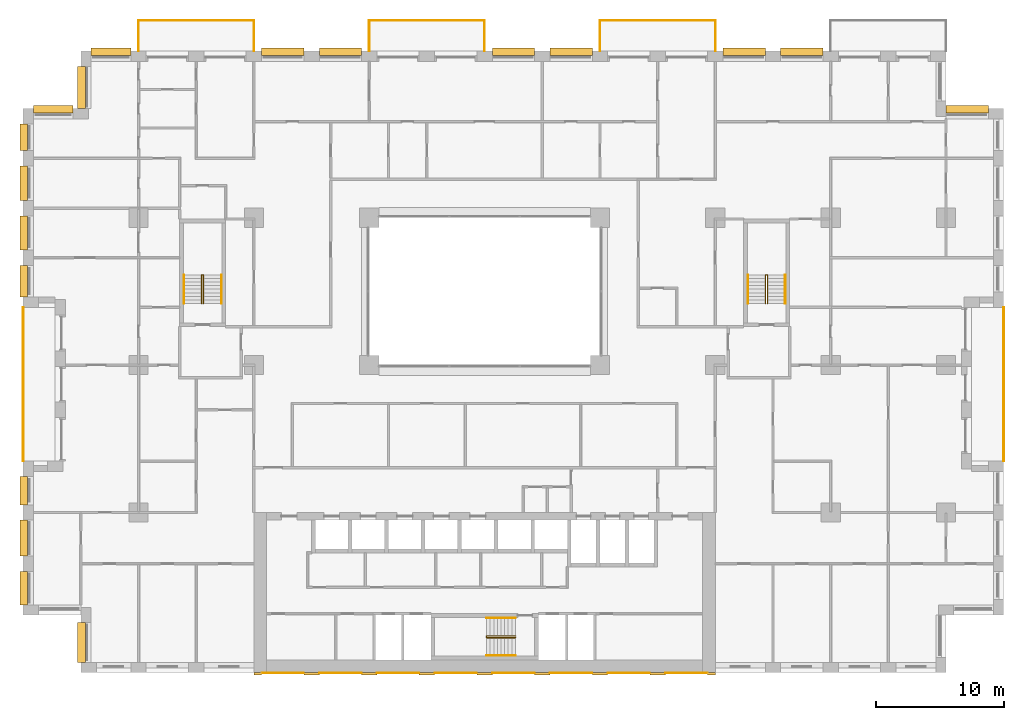
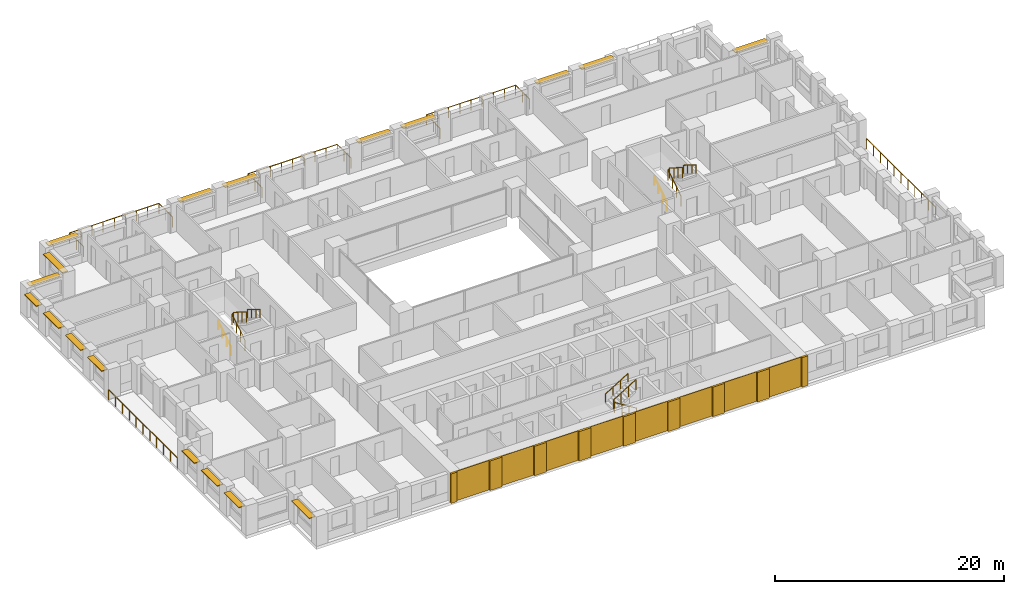
# One storey, part 18 of 19: 18 shading devices, 17 coverings, 14 railings.
"""IFC4 building model written with IfcOpenShell, lengths in metres."""

from ifc_helpers import new_model, si_unit, direction, frame, origin, origin_2d, place, context, subcontext, project, spatial, rectangle, circle, extrude, material, layer, layer_set, type_object, element, save


model = new_model("IFC4")

# Units and contexts
model_context = context("Model", 3, precision=1e-05, world=origin(), true_north=direction((0.0, 1.0)))
body_context = subcontext(model_context, "Body", "Model", "MODEL_VIEW")
ifc_project = project(units=[si_unit("LENGTHUNIT", "METRE"), si_unit("AREAUNIT", "SQUARE_METRE"), si_unit("VOLUMEUNIT", "CUBIC_METRE"), si_unit("PLANEANGLEUNIT", "RADIAN"), si_unit("MASSUNIT", "GRAM", prefix="KILO")], contexts=[model_context])

# Site, building, storey
site_placement = place(None, origin())
site = spatial("IfcSite", under=ifc_project, at=site_placement, CompositionType="ELEMENT")
building_placement = place(site_placement, origin())
building = spatial("IfcBuilding", under=site, at=building_placement, Name="Brigalow Station Residences", CompositionType="ELEMENT")
storey_placement = place(building_placement, frame((0.0, 0.0, 28.949951171875)))
storey = spatial("IfcBuildingStorey", under=building, at=storey_placement, Name="L07", CompositionType="ELEMENT", Elevation=28.949951171875)

# Railings
ifc_material_1 = material(Name="Stainless steel balustrade with laminated glass infill", Category="steel")
railing_type_1 = type_object("IfcRailingType", Name="BALCONY GUARD 1100", PredefinedType="GUARDRAIL", material=ifc_material_1)
railing_1_placement = place(storey_placement, frame((76.5, 16.5, -0.0400390625)))
element("IfcRailing", 1, at=railing_1_placement, inside=storey, type_object=railing_type_1, Name="L07/balcony-guard/1", PredefinedType="GUARDRAIL", context=body_context, shape_type="SweptSolid", body=[
    extrude(circle(Radius=0.02392578125, at=origin_2d()), frame((0.0, 0.0, 1.076171875), z_axis=(0.0, 1.0, 0.0), x_axis=(-1.0, 0.0, 0.0)), (0.0, 0.0, 1.0), 12.0),
    extrude(circle(Radius=0.02099609375, at=origin_2d()), origin(), (0.0, 0.0, 1.0), 1.052001953125),
    extrude(circle(Radius=0.02099609375, at=origin_2d()), frame((0.0, 1.199951171875, 0.0)), (0.0, 0.0, 1.0), 1.052001953125),
    extrude(circle(Radius=0.02099609375, at=origin_2d()), frame((0.0, 2.39990234375, 0.0)), (0.0, 0.0, 1.0), 1.052001953125),
    extrude(circle(Radius=0.02099609375, at=origin_2d()), frame((0.0, 3.60009765625, 0.0)), (0.0, 0.0, 1.0), 1.052001953125),
    extrude(circle(Radius=0.02099609375, at=origin_2d()), frame((0.0, 4.800048828125, 0.0)), (0.0, 0.0, 1.0), 1.052001953125),
    extrude(circle(Radius=0.02099609375, at=origin_2d()), frame((0.0, 6.0, 0.0)), (0.0, 0.0, 1.0), 1.052001953125),
    extrude(circle(Radius=0.02099609375, at=origin_2d()), frame((0.0, 7.199951171875, 0.0)), (0.0, 0.0, 1.0), 1.052001953125),
    extrude(circle(Radius=0.02099609375, at=origin_2d()), frame((0.0, 8.39990234375, 0.0)), (0.0, 0.0, 1.0), 1.052001953125),
    extrude(circle(Radius=0.02099609375, at=origin_2d()), frame((0.0, 9.60009765625, 0.0)), (0.0, 0.0, 1.0), 1.052001953125),
    extrude(circle(Radius=0.02099609375, at=origin_2d()), frame((0.0, 10.800048828125, 0.0)), (0.0, 0.0, 1.0), 1.052001953125),
    extrude(circle(Radius=0.02099609375, at=origin_2d()), frame((0.0, 12.0, 0.0)), (0.0, 0.0, 1.0), 1.052001953125),
])
railing_2_placement = place(storey_placement, frame((54.0, 48.5, -0.0400390625)))
element("IfcRailing", 2, at=railing_2_placement, inside=storey, type_object=railing_type_1, Name="L07/balcony-guard/3", PredefinedType="GUARDRAIL", context=body_context, shape_type="SweptSolid", body=[
    extrude(circle(Radius=0.02392578125, at=origin_2d()), frame((0.0, 0.0, 1.076171875), z_axis=(0.0, 1.0, 0.0), x_axis=(-1.0, 0.0, 0.0)), (0.0, 0.0, 1.0), 2.39990234375),
    extrude(circle(Radius=0.02392578125, at=origin_2d()), frame((0.0, 2.39990234375, 1.076171875), z_axis=(-1.0, 0.0, 0.0), x_axis=(0.0, -1.0, 0.0)), (0.0, 0.0, 1.0), 9.0),
    extrude(circle(Radius=0.02392578125, at=origin_2d()), frame((-9.0, 2.39990234375, 1.076171875), z_axis=(0.0, -1.0, 0.0), x_axis=(1.0, 0.0, 0.0)), (0.0, 0.0, 1.0), 2.39990234375),
    extrude(circle(Radius=0.02099609375, at=origin_2d()), origin(), (0.0, 0.0, 1.0), 1.052001953125),
    extrude(circle(Radius=0.02099609375, at=origin_2d()), frame((0.0, 1.199951171875, 0.0)), (0.0, 0.0, 1.0), 1.052001953125),
    extrude(circle(Radius=0.02099609375, at=origin_2d()), frame((0.0, 2.39990234375, 0.0)), (0.0, 0.0, 1.0), 1.052001953125),
    extrude(circle(Radius=0.02099609375, at=origin_2d()), frame((-1.125, 2.39990234375, 0.0)), (0.0, 0.0, 1.0), 1.052001953125),
    extrude(circle(Radius=0.02099609375, at=origin_2d()), frame((-2.25, 2.39990234375, 0.0)), (0.0, 0.0, 1.0), 1.052001953125),
    extrude(circle(Radius=0.02099609375, at=origin_2d()), frame((-3.375, 2.39990234375, 0.0)), (0.0, 0.0, 1.0), 1.052001953125),
    extrude(circle(Radius=0.02099609375, at=origin_2d()), frame((-4.5, 2.39990234375, 0.0)), (0.0, 0.0, 1.0), 1.052001953125),
    extrude(circle(Radius=0.02099609375, at=origin_2d()), frame((-5.625, 2.39990234375, 0.0)), (0.0, 0.0, 1.0), 1.052001953125),
    extrude(circle(Radius=0.02099609375, at=origin_2d()), frame((-6.75, 2.39990234375, 0.0)), (0.0, 0.0, 1.0), 1.052001953125),
    extrude(circle(Radius=0.02099609375, at=origin_2d()), frame((-7.875, 2.39990234375, 0.0)), (0.0, 0.0, 1.0), 1.052001953125),
    extrude(circle(Radius=0.02099609375, at=origin_2d()), frame((-9.0, 2.39990234375, 0.0)), (0.0, 0.0, 1.0), 1.052001953125),
    extrude(circle(Radius=0.02099609375, at=origin_2d()), frame((-9.0, 1.199951171875, 0.0)), (0.0, 0.0, 1.0), 1.052001953125),
    extrude(circle(Radius=0.02099609375, at=origin_2d()), frame((-9.0, 0.0, 0.0)), (0.0, 0.0, 1.0), 1.052001953125),
])
railing_3_placement = place(storey_placement, frame((36.0, 48.5, -0.0400390625)))
element("IfcRailing", 3, at=railing_3_placement, inside=storey, type_object=railing_type_1, Name="L07/balcony-guard/4", PredefinedType="GUARDRAIL", context=body_context, shape_type="SweptSolid", body=[
    extrude(circle(Radius=0.02392578125, at=origin_2d()), frame((0.0, 0.0, 1.076171875), z_axis=(0.0, 1.0, 0.0), x_axis=(-1.0, 0.0, 0.0)), (0.0, 0.0, 1.0), 2.39990234375),
    extrude(circle(Radius=0.02392578125, at=origin_2d()), frame((0.0, 2.39990234375, 1.076171875), z_axis=(-1.0, 0.0, 0.0), x_axis=(0.0, -1.0, 0.0)), (0.0, 0.0, 1.0), 9.0),
    extrude(circle(Radius=0.02392578125, at=origin_2d()), frame((-9.0, 2.39990234375, 1.076171875), z_axis=(0.0, -1.0, 0.0), x_axis=(1.0, 0.0, 0.0)), (0.0, 0.0, 1.0), 2.39990234375),
    extrude(circle(Radius=0.02099609375, at=origin_2d()), origin(), (0.0, 0.0, 1.0), 1.052001953125),
    extrude(circle(Radius=0.02099609375, at=origin_2d()), frame((0.0, 1.199951171875, 0.0)), (0.0, 0.0, 1.0), 1.052001953125),
    extrude(circle(Radius=0.02099609375, at=origin_2d()), frame((0.0, 2.39990234375, 0.0)), (0.0, 0.0, 1.0), 1.052001953125),
    extrude(circle(Radius=0.02099609375, at=origin_2d()), frame((-1.125, 2.39990234375, 0.0)), (0.0, 0.0, 1.0), 1.052001953125),
    extrude(circle(Radius=0.02099609375, at=origin_2d()), frame((-2.25, 2.39990234375, 0.0)), (0.0, 0.0, 1.0), 1.052001953125),
    extrude(circle(Radius=0.02099609375, at=origin_2d()), frame((-3.375, 2.39990234375, 0.0)), (0.0, 0.0, 1.0), 1.052001953125),
    extrude(circle(Radius=0.02099609375, at=origin_2d()), frame((-4.5, 2.39990234375, 0.0)), (0.0, 0.0, 1.0), 1.052001953125),
    extrude(circle(Radius=0.02099609375, at=origin_2d()), frame((-5.625, 2.39990234375, 0.0)), (0.0, 0.0, 1.0), 1.052001953125),
    extrude(circle(Radius=0.02099609375, at=origin_2d()), frame((-6.75, 2.39990234375, 0.0)), (0.0, 0.0, 1.0), 1.052001953125),
    extrude(circle(Radius=0.02099609375, at=origin_2d()), frame((-7.875, 2.39990234375, 0.0)), (0.0, 0.0, 1.0), 1.052001953125),
    extrude(circle(Radius=0.02099609375, at=origin_2d()), frame((-9.0, 2.39990234375, 0.0)), (0.0, 0.0, 1.0), 1.052001953125),
    extrude(circle(Radius=0.02099609375, at=origin_2d()), frame((-9.0, 1.199951171875, 0.0)), (0.0, 0.0, 1.0), 1.052001953125),
    extrude(circle(Radius=0.02099609375, at=origin_2d()), frame((-9.0, 0.0, 0.0)), (0.0, 0.0, 1.0), 1.052001953125),
])
railing_4_placement = place(storey_placement, frame((18.0, 48.5, -0.0400390625)))
element("IfcRailing", 4, at=railing_4_placement, inside=storey, type_object=railing_type_1, Name="L07/balcony-guard/5", PredefinedType="GUARDRAIL", context=body_context, shape_type="SweptSolid", body=[
    extrude(circle(Radius=0.02392578125, at=origin_2d()), frame((0.0, 0.0, 1.076171875), z_axis=(0.0, 1.0, 0.0), x_axis=(-1.0, 0.0, 0.0)), (0.0, 0.0, 1.0), 2.39990234375),
    extrude(circle(Radius=0.02392578125, at=origin_2d()), frame((0.0, 2.39990234375, 1.076171875), z_axis=(-1.0, 0.0, 0.0), x_axis=(0.0, -1.0, 0.0)), (0.0, 0.0, 1.0), 9.0),
    extrude(circle(Radius=0.02392578125, at=origin_2d()), frame((-9.0, 2.39990234375, 1.076171875), z_axis=(0.0, -1.0, 0.0), x_axis=(1.0, 0.0, 0.0)), (0.0, 0.0, 1.0), 2.39990234375),
    extrude(circle(Radius=0.02099609375, at=origin_2d()), origin(), (0.0, 0.0, 1.0), 1.052001953125),
    extrude(circle(Radius=0.02099609375, at=origin_2d()), frame((0.0, 1.199951171875, 0.0)), (0.0, 0.0, 1.0), 1.052001953125),
    extrude(circle(Radius=0.02099609375, at=origin_2d()), frame((0.0, 2.39990234375, 0.0)), (0.0, 0.0, 1.0), 1.052001953125),
    extrude(circle(Radius=0.02099609375, at=origin_2d()), frame((-1.125, 2.39990234375, 0.0)), (0.0, 0.0, 1.0), 1.052001953125),
    extrude(circle(Radius=0.02099609375, at=origin_2d()), frame((-2.25, 2.39990234375, 0.0)), (0.0, 0.0, 1.0), 1.052001953125),
    extrude(circle(Radius=0.02099609375, at=origin_2d()), frame((-3.375, 2.39990234375, 0.0)), (0.0, 0.0, 1.0), 1.052001953125),
    extrude(circle(Radius=0.02099609375, at=origin_2d()), frame((-4.5, 2.39990234375, 0.0)), (0.0, 0.0, 1.0), 1.052001953125),
    extrude(circle(Radius=0.02099609375, at=origin_2d()), frame((-5.625, 2.39990234375, 0.0)), (0.0, 0.0, 1.0), 1.052001953125),
    extrude(circle(Radius=0.02099609375, at=origin_2d()), frame((-6.75, 2.39990234375, 0.0)), (0.0, 0.0, 1.0), 1.052001953125),
    extrude(circle(Radius=0.02099609375, at=origin_2d()), frame((-7.875, 2.39990234375, 0.0)), (0.0, 0.0, 1.0), 1.052001953125),
    extrude(circle(Radius=0.02099609375, at=origin_2d()), frame((-9.0, 2.39990234375, 0.0)), (0.0, 0.0, 1.0), 1.052001953125),
    extrude(circle(Radius=0.02099609375, at=origin_2d()), frame((-9.0, 1.199951171875, 0.0)), (0.0, 0.0, 1.0), 1.052001953125),
    extrude(circle(Radius=0.02099609375, at=origin_2d()), frame((-9.0, 0.0, 0.0)), (0.0, 0.0, 1.0), 1.052001953125),
])
railing_5_placement = place(storey_placement, frame((0.0, 28.5, -0.0400390625)))
element("IfcRailing", 5, at=railing_5_placement, inside=storey, type_object=railing_type_1, Name="L07/balcony-guard/6", PredefinedType="GUARDRAIL", context=body_context, shape_type="SweptSolid", body=[
    extrude(circle(Radius=0.02392578125, at=origin_2d()), frame((0.0, 0.0, 1.076171875), z_axis=(0.0, -1.0, 0.0), x_axis=(1.0, 0.0, 0.0)), (0.0, 0.0, 1.0), 12.0),
    extrude(circle(Radius=0.02099609375, at=origin_2d()), origin(), (0.0, 0.0, 1.0), 1.052001953125),
    extrude(circle(Radius=0.02099609375, at=origin_2d()), frame((0.0, -1.199951171875, 0.0)), (0.0, 0.0, 1.0), 1.052001953125),
    extrude(circle(Radius=0.02099609375, at=origin_2d()), frame((0.0, -2.39990234375, 0.0)), (0.0, 0.0, 1.0), 1.052001953125),
    extrude(circle(Radius=0.02099609375, at=origin_2d()), frame((0.0, -3.60009765625, 0.0)), (0.0, 0.0, 1.0), 1.052001953125),
    extrude(circle(Radius=0.02099609375, at=origin_2d()), frame((0.0, -4.800048828125, 0.0)), (0.0, 0.0, 1.0), 1.052001953125),
    extrude(circle(Radius=0.02099609375, at=origin_2d()), frame((0.0, -6.0, 0.0)), (0.0, 0.0, 1.0), 1.052001953125),
    extrude(circle(Radius=0.02099609375, at=origin_2d()), frame((0.0, -7.199951171875, 0.0)), (0.0, 0.0, 1.0), 1.052001953125),
    extrude(circle(Radius=0.02099609375, at=origin_2d()), frame((0.0, -8.39990234375, 0.0)), (0.0, 0.0, 1.0), 1.052001953125),
    extrude(circle(Radius=0.02099609375, at=origin_2d()), frame((0.0, -9.60009765625, 0.0)), (0.0, 0.0, 1.0), 1.052001953125),
    extrude(circle(Radius=0.02099609375, at=origin_2d()), frame((0.0, -10.800048828125, 0.0)), (0.0, 0.0, 1.0), 1.052001953125),
    extrude(circle(Radius=0.02099609375, at=origin_2d()), frame((0.0, -12.0, 0.0)), (0.0, 0.0, 1.0), 1.052001953125),
])

# Coverings
ifc_material_2 = material(Name="Clay brick masonry", Category="masonry")
ifc_layer_1 = layer(ifc_material_2, 0.06005859375)
ifc_layer_set_1 = layer_set([ifc_layer_1], Name="BRICK PANEL FACING 60")
covering_type_1 = type_object("IfcCoveringType", Name="BRICK PANEL FACING 60", PredefinedType="CLADDING", material=ifc_layer_set_1)
for number, where, z_axis, x_axis, name in (
    (6, (20.25, -0.030029296875, 0.0), (0.0, 0.0, 1.0), (1.0, 0.0, 0.0), "L07/rear-facing/panel-1"),
    (7, (24.75, -0.030029296875, 0.0), (0.0, 0.0, 1.0), (1.0, 0.0, 0.0), "L07/rear-facing/panel-2"),
    (8, (29.25, -0.030029296875, 0.0), (0.0, 0.0, 1.0), (1.0, 0.0, 0.0), "L07/rear-facing/panel-3"),
    (9, (33.75, -0.030029296875, 0.0), (0.0, 0.0, 1.0), (1.0, 0.0, 0.0), "L07/rear-facing/panel-4"),
    (10, (38.25, -0.030029296875, 0.0), (0.0, 0.0, 1.0), (1.0, 0.0, 0.0), "L07/rear-facing/panel-5"),
    (11, (42.75, -0.030029296875, 0.0), (0.0, 0.0, 1.0), (1.0, 0.0, 0.0), "L07/rear-facing/panel-6"),
    (12, (47.25, -0.030029296875, 0.0), (0.0, 0.0, 1.0), (1.0, 0.0, 0.0), "L07/rear-facing/panel-7"),
    (13, (51.75, -0.030029296875, 0.0), (0.0, 0.0, 1.0), (1.0, 0.0, 0.0), "L07/rear-facing/panel-8"),
):
    element("IfcCovering", number, at=place(storey_placement, frame(where, z_axis=z_axis, x_axis=x_axis)), inside=storey, type_object=covering_type_1, Name=name, PredefinedType="CLADDING", context=body_context, shape_type="SweptSolid", body=[
        extrude(rectangle(XDim=3.300048828125, YDim=0.06005859375, at=origin_2d()), origin(), (0.0, 0.0, 1.0), 3.14990234375),
    ])
ifc_material_3 = material(Name="Clay brick masonry", Category="masonry")
ifc_layer_2 = layer(ifc_material_3, 0.199951171875)
ifc_layer_set_2 = layer_set([ifc_layer_2], Name="BRICK PIER FACING 200")
covering_type_2 = type_object("IfcCoveringType", Name="BRICK PIER FACING 200", PredefinedType="CLADDING", material=ifc_layer_set_2)
covering_1_placement = place(storey_placement, frame((18.300048828125, -0.10009765625, 0.0), z_axis=(0.0, 0.0, 1.0), x_axis=(1.0, 0.0, 0.0)))
element("IfcCovering", 14, at=covering_1_placement, inside=storey, type_object=covering_type_2, Name="L07/rear-facing/pier-1", PredefinedType="CLADDING", context=body_context, shape_type="SweptSolid", body=[
    extrude(rectangle(XDim=0.60009765625, YDim=0.199951171875, at=origin_2d()), origin(), (0.0, 0.0, 1.0), 3.14990234375),
])
for number, where, z_axis, x_axis, name in (
    (15, (22.5, -0.10009765625, 0.0), (0.0, 0.0, 1.0), (1.0, 0.0, 0.0), "L07/rear-facing/pier-2"),
    (16, (27.0, -0.10009765625, 0.0), (0.0, 0.0, 1.0), (1.0, 0.0, 0.0), "L07/rear-facing/pier-3"),
    (17, (31.5, -0.10009765625, 0.0), (0.0, 0.0, 1.0), (1.0, 0.0, 0.0), "L07/rear-facing/pier-4"),
    (18, (36.0, -0.10009765625, 0.0), (0.0, 0.0, 1.0), (1.0, 0.0, 0.0), "L07/rear-facing/pier-5"),
    (19, (40.5, -0.10009765625, 0.0), (0.0, 0.0, 1.0), (1.0, 0.0, 0.0), "L07/rear-facing/pier-6"),
    (20, (45.0, -0.10009765625, 0.0), (0.0, 0.0, 1.0), (1.0, 0.0, 0.0), "L07/rear-facing/pier-7"),
    (21, (49.5, -0.10009765625, 0.0), (0.0, 0.0, 1.0), (1.0, 0.0, 0.0), "L07/rear-facing/pier-8"),
):
    element("IfcCovering", number, at=place(storey_placement, frame(where, z_axis=z_axis, x_axis=x_axis)), inside=storey, type_object=covering_type_2, Name=name, PredefinedType="CLADDING", context=body_context, shape_type="SweptSolid", body=[
        extrude(rectangle(XDim=1.199951171875, YDim=0.199951171875, at=origin_2d()), origin(), (0.0, 0.0, 1.0), 3.14990234375),
    ])
covering_2_placement = place(storey_placement, frame((53.699951171875, -0.10009765625, 0.0), z_axis=(0.0, 0.0, 1.0), x_axis=(1.0, 0.0, 0.0)))
element("IfcCovering", 22, at=covering_2_placement, inside=storey, type_object=covering_type_2, Name="L07/rear-facing/pier-9", PredefinedType="CLADDING", context=body_context, shape_type="SweptSolid", body=[
    extrude(rectangle(XDim=0.60009765625, YDim=0.199951171875, at=origin_2d()), origin(), (0.0, 0.0, 1.0), 3.14990234375),
])

# Railings
ifc_material_4 = material(Name="Stainless steel balustrade", Category="steel")
railing_type_2 = type_object("IfcRailingType", Name="STAIR GUARD 1100", PredefinedType="GUARDRAIL", material=ifc_material_4)
railing_6_placement = place(storey_placement, frame((38.39990234375, 2.72998046875, 0.175048828125)))
element("IfcRailing", 23, at=railing_6_placement, inside=storey, type_object=railing_type_2, Name="GUARD GR-2", PredefinedType="GUARDRAIL", context=body_context, shape_type="SweptSolid", body=[
    extrude(circle(Radius=0.02392578125, at=origin_2d()), frame((0.0, 0.0, 1.076171875), z_axis=(-0.848013881152, 0.0, 0.529974015752), x_axis=(0.0, -1.0, 0.0)), (0.0, 0.0, 1.0), 2.641357421875),
    extrude(circle(Radius=0.02392578125, at=origin_2d()), frame((-2.239990234375, 0.0, 2.47607421875), z_axis=(0.0, 0.624960567888, 0.780656319122), x_axis=(-1.0, 0.0, 0.0)), (0.0, 0.0, 1.0), 0.22412109375),
    extrude(circle(Radius=0.02392578125, at=origin_2d()), frame((-2.239990234375, 0.14013671875, 2.65087890625), z_axis=(0.847972341737, 0.0, 0.530040477369), x_axis=(0.0, 1.0, 0.0)), (0.0, 0.0, 1.0), 2.6416015625),
    extrude(circle(Radius=0.02099609375, at=origin_2d()), origin(), (0.0, 0.0, 1.0), 1.052001953125),
    extrude(circle(Radius=0.02099609375, at=origin_2d()), frame((-0.74658203125, 0.0, 0.466552734375)), (0.0, 0.0, 1.0), 1.052001953125),
    extrude(circle(Radius=0.02099609375, at=origin_2d()), frame((-1.493408203125, 0.0, 0.933349609375)), (0.0, 0.0, 1.0), 1.052001953125),
    extrude(circle(Radius=0.02099609375, at=origin_2d()), frame((-2.239990234375, 0.0, 1.39990234375)), (0.0, 0.0, 1.0), 1.052001953125),
    extrude(circle(Radius=0.02099609375, at=origin_2d()), frame((-2.239990234375, 0.14013671875, 1.574951171875)), (0.0, 0.0, 1.0), 1.052001953125),
    extrude(circle(Radius=0.02099609375, at=origin_2d()), frame((-1.493408203125, 0.14013671875, 2.041748046875)), (0.0, 0.0, 1.0), 1.052001953125),
    extrude(circle(Radius=0.02099609375, at=origin_2d()), frame((-0.74658203125, 0.14013671875, 2.50830078125)), (0.0, 0.0, 1.0), 1.052001953125),
    extrude(circle(Radius=0.02099609375, at=origin_2d()), frame((0.0, 0.14013671875, 2.97509765625)), (0.0, 0.0, 1.0), 1.052001953125),
])
for number, where, name in (
    (24, (13.929931640625, 28.800048828125, 0.175048828125), "GUARD GR-1"),
    (25, (57.929931640625, 28.800048828125, 0.175048828125), "GUARD GR-3"),
):
    element("IfcRailing", number, at=place(storey_placement, frame(where)), inside=storey, type_object=railing_type_2, Name=name, PredefinedType="GUARDRAIL", context=body_context, shape_type="SweptSolid", body=[
        extrude(circle(Radius=0.02392578125, at=origin_2d()), frame((0.0, 0.0, 1.076171875), z_axis=(0.0, 0.848013881152, 0.529974015752), x_axis=(-1.0, 0.0, 0.0)), (0.0, 0.0, 1.0), 2.641357421875),
        extrude(circle(Radius=0.02392578125, at=origin_2d()), frame((0.0, 2.239990234375, 2.47607421875), z_axis=(0.624960567888, 0.0, 0.780656319122), x_axis=(0.0, 1.0, 0.0)), (0.0, 0.0, 1.0), 0.22412109375),
        extrude(circle(Radius=0.02392578125, at=origin_2d()), frame((0.14013671875, 2.239990234375, 2.65087890625), z_axis=(0.0, -0.847972341737, 0.530040477369), x_axis=(1.0, 0.0, 0.0)), (0.0, 0.0, 1.0), 2.6416015625),
        extrude(circle(Radius=0.02099609375, at=origin_2d()), origin(), (0.0, 0.0, 1.0), 1.052001953125),
        extrude(circle(Radius=0.02099609375, at=origin_2d()), frame((0.0, 0.74658203125, 0.466552734375)), (0.0, 0.0, 1.0), 1.052001953125),
        extrude(circle(Radius=0.02099609375, at=origin_2d()), frame((0.0, 1.493408203125, 0.933349609375)), (0.0, 0.0, 1.0), 1.052001953125),
        extrude(circle(Radius=0.02099609375, at=origin_2d()), frame((0.0, 2.239990234375, 1.39990234375)), (0.0, 0.0, 1.0), 1.052001953125),
        extrude(circle(Radius=0.02099609375, at=origin_2d()), frame((0.14013671875, 2.239990234375, 1.574951171875)), (0.0, 0.0, 1.0), 1.052001953125),
        extrude(circle(Radius=0.02099609375, at=origin_2d()), frame((0.14013671875, 1.493408203125, 2.041748046875)), (0.0, 0.0, 1.0), 1.052001953125),
        extrude(circle(Radius=0.02099609375, at=origin_2d()), frame((0.14013671875, 0.74658203125, 2.50830078125)), (0.0, 0.0, 1.0), 1.052001953125),
        extrude(circle(Radius=0.02099609375, at=origin_2d()), frame((0.14013671875, 0.0, 2.97509765625)), (0.0, 0.0, 1.0), 1.052001953125),
    ])
ifc_material_5 = material(Name="Stainless steel handrail", Category="steel")
railing_type_3 = type_object("IfcRailingType", Name="STAIR HANDRAIL 900", PredefinedType="HANDRAIL", material=ifc_material_5)
railing_7_placement = place(storey_placement, frame((38.39990234375, 1.340087890625, 0.175048828125)))
element("IfcRailing", 26, at=railing_7_placement, inside=storey, type_object=railing_type_3, Name="HANDRAIL HR-21", PredefinedType="HANDRAIL", context=body_context, shape_type="SweptSolid", body=[
    extrude(circle(Radius=0.02392578125, at=origin_2d()), frame((0.0, 0.0, 0.8759765625), z_axis=(-0.848013881152, 0.0, 0.529974015752), x_axis=(0.0, -1.0, 0.0)), (0.0, 0.0, 1.0), 2.641357421875),
    extrude(circle(Radius=0.02099609375, at=origin_2d()), origin(), (0.0, 0.0, 1.0), 0.851806640625),
    extrude(circle(Radius=0.02099609375, at=origin_2d()), frame((-0.74658203125, 0.0, 0.466552734375)), (0.0, 0.0, 1.0), 0.851806640625),
    extrude(circle(Radius=0.02099609375, at=origin_2d()), frame((-1.493408203125, 0.0, 0.933349609375)), (0.0, 0.0, 1.0), 0.851806640625),
    extrude(circle(Radius=0.02099609375, at=origin_2d()), frame((-2.239990234375, 0.0, 1.39990234375)), (0.0, 0.0, 1.0), 0.851806640625),
])
railing_8_placement = place(storey_placement, frame((36.159912109375, 4.260009765625, 1.75)))
element("IfcRailing", 27, at=railing_8_placement, inside=storey, type_object=railing_type_3, Name="HANDRAIL HR-22", PredefinedType="HANDRAIL", context=body_context, shape_type="SweptSolid", body=[
    extrude(circle(Radius=0.02392578125, at=origin_2d()), frame((0.0, 0.0, 0.8759765625), z_axis=(0.847972341737, 0.0, 0.530040477369), x_axis=(0.0, 1.0, 0.0)), (0.0, 0.0, 1.0), 2.6416015625),
    extrude(circle(Radius=0.02099609375, at=origin_2d()), origin(), (0.0, 0.0, 1.0), 0.851806640625),
    extrude(circle(Radius=0.02099609375, at=origin_2d()), frame((0.74658203125, 0.0, 0.466796875)), (0.0, 0.0, 1.0), 0.851806640625),
    extrude(circle(Radius=0.02099609375, at=origin_2d()), frame((1.493408203125, 0.0, 0.933349609375)), (0.0, 0.0, 1.0), 0.851806640625),
    extrude(circle(Radius=0.02099609375, at=origin_2d()), frame((2.239990234375, 0.0, 1.400146484375)), (0.0, 0.0, 1.0), 0.851806640625),
])
railing_9_placement = place(storey_placement, frame((12.5400390625, 28.800048828125, 0.175048828125)))
element("IfcRailing", 28, at=railing_9_placement, inside=storey, type_object=railing_type_3, Name="HANDRAIL HR-11", PredefinedType="HANDRAIL", context=body_context, shape_type="SweptSolid", body=[
    extrude(circle(Radius=0.02392578125, at=origin_2d()), frame((0.0, 0.0, 0.8759765625), z_axis=(0.0, 0.848013881152, 0.529974015752), x_axis=(-1.0, 0.0, 0.0)), (0.0, 0.0, 1.0), 2.641357421875),
    extrude(circle(Radius=0.02099609375, at=origin_2d()), origin(), (0.0, 0.0, 1.0), 0.851806640625),
    extrude(circle(Radius=0.02099609375, at=origin_2d()), frame((0.0, 0.74658203125, 0.466552734375)), (0.0, 0.0, 1.0), 0.851806640625),
    extrude(circle(Radius=0.02099609375, at=origin_2d()), frame((0.0, 1.493408203125, 0.933349609375)), (0.0, 0.0, 1.0), 0.851806640625),
    extrude(circle(Radius=0.02099609375, at=origin_2d()), frame((0.0, 2.239990234375, 1.39990234375)), (0.0, 0.0, 1.0), 0.851806640625),
])
railing_10_placement = place(storey_placement, frame((15.4599609375, 31.0400390625, 1.75)))
element("IfcRailing", 29, at=railing_10_placement, inside=storey, type_object=railing_type_3, Name="HANDRAIL HR-12", PredefinedType="HANDRAIL", context=body_context, shape_type="SweptSolid", body=[
    extrude(circle(Radius=0.02392578125, at=origin_2d()), frame((0.0, 0.0, 0.8759765625), z_axis=(0.0, -0.847972341737, 0.530040477369), x_axis=(1.0, 0.0, 0.0)), (0.0, 0.0, 1.0), 2.6416015625),
    extrude(circle(Radius=0.02099609375, at=origin_2d()), origin(), (0.0, 0.0, 1.0), 0.851806640625),
    extrude(circle(Radius=0.02099609375, at=origin_2d()), frame((0.0, -0.74658203125, 0.466796875)), (0.0, 0.0, 1.0), 0.851806640625),
    extrude(circle(Radius=0.02099609375, at=origin_2d()), frame((0.0, -1.493408203125, 0.933349609375)), (0.0, 0.0, 1.0), 0.851806640625),
    extrude(circle(Radius=0.02099609375, at=origin_2d()), frame((0.0, -2.239990234375, 1.400146484375)), (0.0, 0.0, 1.0), 0.851806640625),
])
railing_11_placement = place(storey_placement, frame((56.5400390625, 28.800048828125, 0.175048828125)))
element("IfcRailing", 30, at=railing_11_placement, inside=storey, type_object=railing_type_3, Name="HANDRAIL HR-31", PredefinedType="HANDRAIL", context=body_context, shape_type="SweptSolid", body=[
    extrude(circle(Radius=0.02392578125, at=origin_2d()), frame((0.0, 0.0, 0.8759765625), z_axis=(0.0, 0.848013881152, 0.529974015752), x_axis=(-1.0, 0.0, 0.0)), (0.0, 0.0, 1.0), 2.641357421875),
    extrude(circle(Radius=0.02099609375, at=origin_2d()), origin(), (0.0, 0.0, 1.0), 0.851806640625),
    extrude(circle(Radius=0.02099609375, at=origin_2d()), frame((0.0, 0.74658203125, 0.466552734375)), (0.0, 0.0, 1.0), 0.851806640625),
    extrude(circle(Radius=0.02099609375, at=origin_2d()), frame((0.0, 1.493408203125, 0.933349609375)), (0.0, 0.0, 1.0), 0.851806640625),
    extrude(circle(Radius=0.02099609375, at=origin_2d()), frame((0.0, 2.239990234375, 1.39990234375)), (0.0, 0.0, 1.0), 0.851806640625),
])
railing_12_placement = place(storey_placement, frame((59.4599609375, 31.0400390625, 1.75)))
element("IfcRailing", 31, at=railing_12_placement, inside=storey, type_object=railing_type_3, Name="HANDRAIL HR-32", PredefinedType="HANDRAIL", context=body_context, shape_type="SweptSolid", body=[
    extrude(circle(Radius=0.02392578125, at=origin_2d()), frame((0.0, 0.0, 0.8759765625), z_axis=(0.0, -0.847972341737, 0.530040477369), x_axis=(1.0, 0.0, 0.0)), (0.0, 0.0, 1.0), 2.6416015625),
    extrude(circle(Radius=0.02099609375, at=origin_2d()), origin(), (0.0, 0.0, 1.0), 0.851806640625),
    extrude(circle(Radius=0.02099609375, at=origin_2d()), frame((0.0, -0.74658203125, 0.466796875)), (0.0, 0.0, 1.0), 0.851806640625),
    extrude(circle(Radius=0.02099609375, at=origin_2d()), frame((0.0, -1.493408203125, 0.933349609375)), (0.0, 0.0, 1.0), 0.851806640625),
    extrude(circle(Radius=0.02099609375, at=origin_2d()), frame((0.0, -2.239990234375, 1.400146484375)), (0.0, 0.0, 1.0), 0.851806640625),
])

# Shading devices
ifc_material_6 = material(Name="Powder-coated extruded aluminium blade", Category="aluminium")
ifc_layer_3 = layer(ifc_material_6, 0.080078125)
ifc_layer_set_3 = layer_set([ifc_layer_3], Name="SUNSHADE BLADE 600x80")
shading_device_type = type_object("IfcShadingDeviceType", Name="SUNSHADE BLADE 600x80", PredefinedType="JALOUSIE", material=ifc_layer_set_3)
for number, where, z_axis, x_axis, name in (
    (32, (73.64990234375, 43.949951171875, 2.550048828125), (0.0, 0.0, 1.0), (-1.0, 0.0, 0.0), "L07/blade/W-L07-23"),
    (33, (60.75, 48.449951171875, 2.550048828125), (0.0, 0.0, 1.0), (-1.0, 0.0, 0.0), "L07/blade/W-L07-27"),
    (34, (56.25, 48.449951171875, 2.550048828125), (0.0, 0.0, 1.0), (-1.0, 0.0, 0.0), "L07/blade/W-L07-28"),
    (35, (42.75, 48.449951171875, 2.550048828125), (0.0, 0.0, 1.0), (-1.0, 0.0, 0.0), "L07/blade/W-L07-31"),
    (36, (38.25, 48.449951171875, 2.550048828125), (0.0, 0.0, 1.0), (-1.0, 0.0, 0.0), "L07/blade/W-L07-32"),
    (37, (24.75, 48.449951171875, 2.550048828125), (0.0, 0.0, 1.0), (-1.0, 0.0, 0.0), "L07/blade/W-L07-35"),
    (38, (20.25, 48.449951171875, 2.550048828125), (0.0, 0.0, 1.0), (-1.0, 0.0, 0.0), "L07/blade/W-L07-36"),
):
    element("IfcShadingDevice", number, at=place(storey_placement, frame(where, z_axis=z_axis, x_axis=x_axis)), inside=storey, type_object=shading_device_type, Name=name, PredefinedType="JALOUSIE", context=body_context, shape_type="SweptSolid", body=[
        extrude(rectangle(XDim=3.300048828125, YDim=0.60009765625, at=origin_2d()), origin(), (0.0, 0.0, 1.0), 0.080078125),
    ])
shading_device_1_placement = place(storey_placement, frame((6.85009765625, 48.449951171875, 2.550048828125), z_axis=(0.0, 0.0, 1.0), x_axis=(-1.0, 0.0, 0.0)))
element("IfcShadingDevice", 39, at=shading_device_1_placement, inside=storey, type_object=shading_device_type, Name="L07/blade/W-L07-39", PredefinedType="JALOUSIE", context=body_context, shape_type="SweptSolid", body=[
    extrude(rectangle(XDim=3.10009765625, YDim=0.60009765625, at=origin_2d()), origin(), (0.0, 0.0, 1.0), 0.080078125),
])
shading_device_2_placement = place(storey_placement, frame((4.550048828125, 45.64990234375, 2.550048828125), z_axis=(0.0, 0.0, 1.0), x_axis=(0.0, -1.0, 0.0)))
element("IfcShadingDevice", 40, at=shading_device_2_placement, inside=storey, type_object=shading_device_type, Name="L07/blade/W-L07-40", PredefinedType="JALOUSIE", context=body_context, shape_type="SweptSolid", body=[
    extrude(rectangle(XDim=3.300048828125, YDim=0.60009765625, at=origin_2d()), origin(), (0.0, 0.0, 1.0), 0.080078125),
])
shading_device_3_placement = place(storey_placement, frame((2.35009765625, 43.949951171875, 2.550048828125), z_axis=(0.0, 0.0, 1.0), x_axis=(-1.0, 0.0, 0.0)))
element("IfcShadingDevice", 41, at=shading_device_3_placement, inside=storey, type_object=shading_device_type, Name="L07/blade/W-L07-41", PredefinedType="JALOUSIE", context=body_context, shape_type="SweptSolid", body=[
    extrude(rectangle(XDim=3.10009765625, YDim=0.60009765625, at=origin_2d()), origin(), (0.0, 0.0, 1.0), 0.080078125),
])
shading_device_4_placement = place(storey_placement, frame((0.050048828125, 41.762451171875, 2.550048828125), z_axis=(0.0, 0.0, 1.0), x_axis=(0.0, -1.0, 0.0)))
element("IfcShadingDevice", 42, at=shading_device_4_placement, inside=storey, type_object=shading_device_type, Name="L07/blade/W-L07-42", PredefinedType="JALOUSIE", context=body_context, shape_type="SweptSolid", body=[
    extrude(rectangle(XDim=2.074951171875, YDim=0.60009765625, at=origin_2d()), origin(), (0.0, 0.0, 1.0), 0.080078125),
])
for number, where, z_axis, x_axis, name in (
    (43, (0.050048828125, 38.1875, 2.550048828125), (0.0, 0.0, 1.0), (0.0, -1.0, 0.0), "L07/blade/W-L07-43"),
    (44, (0.050048828125, 34.3125, 2.550048828125), (0.0, 0.0, 1.0), (0.0, -1.0, 0.0), "L07/blade/W-L07-44"),
):
    element("IfcShadingDevice", number, at=place(storey_placement, frame(where, z_axis=z_axis, x_axis=x_axis)), inside=storey, type_object=shading_device_type, Name=name, PredefinedType="JALOUSIE", context=body_context, shape_type="SweptSolid", body=[
        extrude(rectangle(XDim=2.675048828125, YDim=0.60009765625, at=origin_2d()), origin(), (0.0, 0.0, 1.0), 0.080078125),
    ])
shading_device_5_placement = place(storey_placement, frame((0.050048828125, 30.53759765625, 2.550048828125), z_axis=(0.0, 0.0, 1.0), x_axis=(0.0, -1.0, 0.0)))
element("IfcShadingDevice", 45, at=shading_device_5_placement, inside=storey, type_object=shading_device_type, Name="L07/blade/W-L07-45", PredefinedType="JALOUSIE", context=body_context, shape_type="SweptSolid", body=[
    extrude(rectangle(XDim=2.47509765625, YDim=0.60009765625, at=origin_2d()), origin(), (0.0, 0.0, 1.0), 0.080078125),
])
shading_device_6_placement = place(storey_placement, frame((0.050048828125, 14.199951171875, 2.550048828125), z_axis=(0.0, 0.0, 1.0), x_axis=(0.0, -1.0, 0.0)))
element("IfcShadingDevice", 46, at=shading_device_6_placement, inside=storey, type_object=shading_device_type, Name="L07/blade/W-L07-51", PredefinedType="JALOUSIE", context=body_context, shape_type="SweptSolid", body=[
    extrude(rectangle(XDim=2.199951171875, YDim=0.60009765625, at=origin_2d()), origin(), (0.0, 0.0, 1.0), 0.080078125),
])
shading_device_7_placement = place(storey_placement, frame((0.050048828125, 10.5, 2.550048828125), z_axis=(0.0, 0.0, 1.0), x_axis=(0.0, -1.0, 0.0)))
element("IfcShadingDevice", 47, at=shading_device_7_placement, inside=storey, type_object=shading_device_type, Name="L07/blade/W-L07-52", PredefinedType="JALOUSIE", context=body_context, shape_type="SweptSolid", body=[
    extrude(rectangle(XDim=2.800048828125, YDim=0.60009765625, at=origin_2d()), origin(), (0.0, 0.0, 1.0), 0.080078125),
])
shading_device_8_placement = place(storey_placement, frame((0.050048828125, 6.60009765625, 2.550048828125), z_axis=(0.0, 0.0, 1.0), x_axis=(0.0, -1.0, 0.0)))
element("IfcShadingDevice", 48, at=shading_device_8_placement, inside=storey, type_object=shading_device_type, Name="L07/blade/W-L07-53", PredefinedType="JALOUSIE", context=body_context, shape_type="SweptSolid", body=[
    extrude(rectangle(XDim=2.60009765625, YDim=0.60009765625, at=origin_2d()), origin(), (0.0, 0.0, 1.0), 0.080078125),
])
shading_device_9_placement = place(storey_placement, frame((4.550048828125, 2.35009765625, 2.550048828125), z_axis=(0.0, 0.0, 1.0), x_axis=(0.0, -1.0, 0.0)))
element("IfcShadingDevice", 49, at=shading_device_9_placement, inside=storey, type_object=shading_device_type, Name="L07/blade/W-L07-55", PredefinedType="JALOUSIE", context=body_context, shape_type="SweptSolid", body=[
    extrude(rectangle(XDim=3.10009765625, YDim=0.60009765625, at=origin_2d()), origin(), (0.0, 0.0, 1.0), 0.080078125),
])

save(model, "model.ifc")
